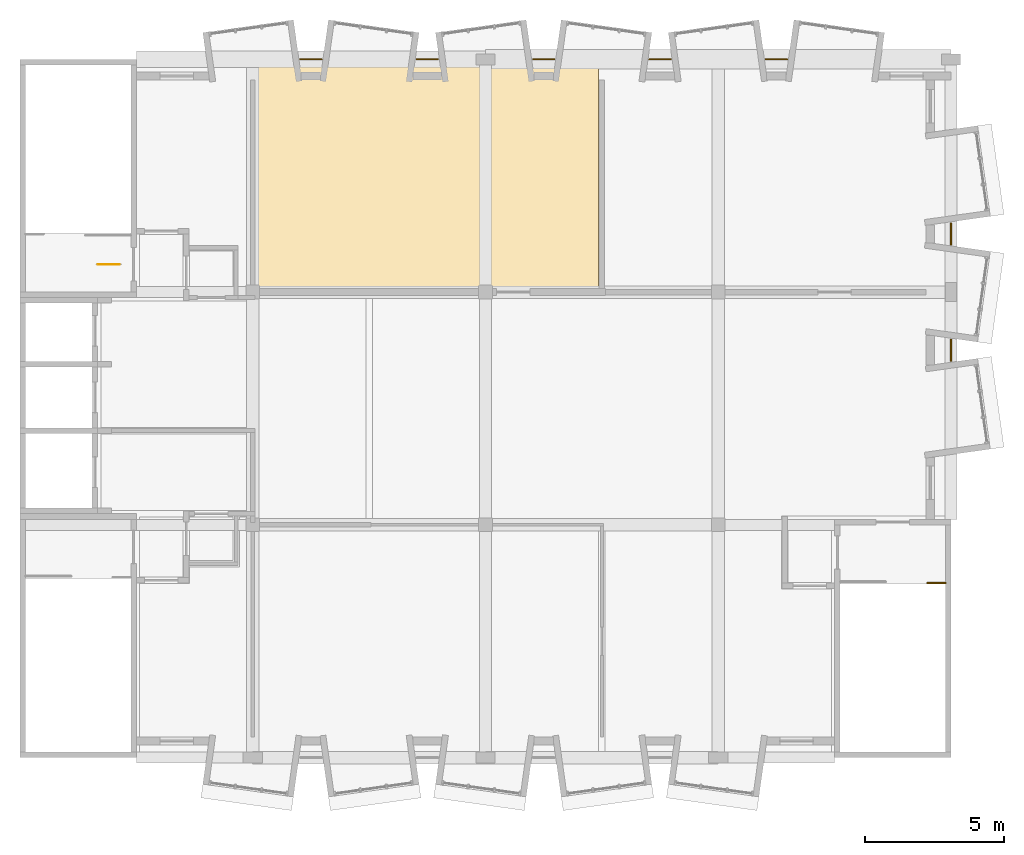
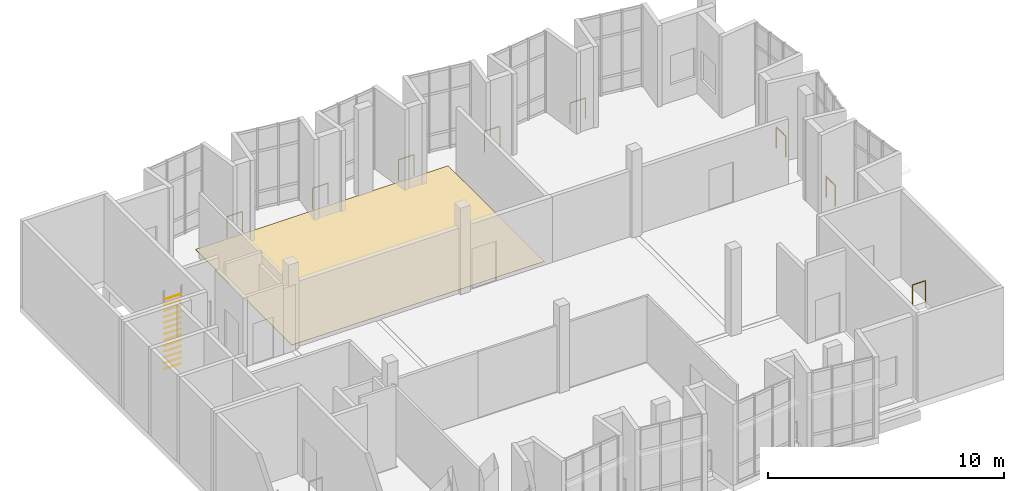
# One storey, part 15 of 15: 21 railings, 1 covering.
"""IFC4 building model written with IfcOpenShell, lengths in metres."""

import ifcopenshell
import ifcopenshell.guid

model = None  # the IFC model being written
_history = None  # IfcOwnerHistory: only IFC2X3 demands one
_inside = {}  # id of a spatial element -> (the spatial element, [elements in it])
_under = {}  # id of a project, library or spatial element -> (it, [spatial elements below it])
_declared = {}  # id of a project -> (the project, [libraries it declares])
_typed = {}  # id of a type object -> (the type object, [elements of that type])
_made_of = {}  # id of a material, layer set ... -> (it, [elements and type objects made of it])


def new_model(schema):
    """Start an empty IFC model of exactly this schema.

    Asked for "IFC4X3", IfcOpenShell would pick the latest addendum, in which some entities
    have other attributes; the version numbers below select the first issue.
    IFC2X3 requires an IfcOwnerHistory on every rooted entity: one is made here for all.
    """
    global model, _history
    if schema == "IFC4X3":
        model = ifcopenshell.file(schema_version=(4, 3, 0, 0))
    else:
        model = ifcopenshell.file(schema=schema)
    _inside.clear()
    _under.clear()
    _declared.clear()
    _typed.clear()
    _made_of.clear()
    _history = None
    if model.schema == "IFC2X3":
        org = make("IfcOrganization", Name="unknown")
        user = make(
            "IfcPersonAndOrganization",
            ThePerson=make("IfcPerson", FamilyName="unknown"),
            TheOrganization=org,
        )
        app = make(
            "IfcApplication",
            ApplicationDeveloper=org,
            Version="unknown",
            ApplicationFullName="unknown",
            ApplicationIdentifier="unknown",
        )
        _history = make(
            "IfcOwnerHistory",
            OwningUser=user,
            OwningApplication=app,
            ChangeAction="ADDED",
            CreationDate=0,
        )
    return model


def make(cls, **values):
    """One entity of the class cls with the attributes given. An attribute that is None is left unset."""
    return model.create_entity(
        cls, **{name: value for name, value in values.items() if value is not None}
    )


def rooted(cls, **values):
    """An entity with a GlobalId (a new one), such as an element, a storey or a relation."""
    return make(cls, GlobalId=ifcopenshell.guid.new(), OwnerHistory=_history, **values)


def si_unit(unit_type, name, prefix=None):
    """IfcSIUnit, for example si_unit("LENGTHUNIT", "METRE", prefix="MILLI")."""
    return make("IfcSIUnit", UnitType=unit_type, Prefix=prefix, Name=name)


def assignment(units):
    """IfcUnitAssignment: the units of a project."""
    return None if units is None else make("IfcUnitAssignment", Units=units)


def point(xyz):
    """IfcCartesianPoint."""
    return None if xyz is None else make("IfcCartesianPoint", Coordinates=xyz)


def direction(xyz):
    """IfcDirection."""
    return None if xyz is None else make("IfcDirection", DirectionRatios=xyz)


def frame(location, z_axis=None, x_axis=None):
    """IfcAxis2Placement3D, a coordinate frame: its origin and axes. An axis left out is left unset."""
    return make(
        "IfcAxis2Placement3D",
        Location=point(location),
        Axis=direction(z_axis),
        RefDirection=direction(x_axis),
    )


def frame_2d(location, x_axis=None):
    """IfcAxis2Placement2D, a coordinate frame in the plane: its origin and x axis."""
    return make(
        "IfcAxis2Placement2D", Location=point(location), RefDirection=direction(x_axis)
    )


def origin():
    """The frame at (0, 0, 0) with its axes left unset."""
    return frame((0.0, 0.0, 0.0))


def origin_2d():
    """The frame at (0, 0) in the plane with its x axis left unset."""
    return frame_2d((0.0, 0.0))


def place(relative_to, where):
    """IfcLocalPlacement: puts the frame where relative to a parent placement (None: the world)."""
    return make(
        "IfcLocalPlacement", PlacementRelTo=relative_to, RelativePlacement=where
    )


def context(
    kind, dimensions, precision=None, world=None, true_north=None, identifier=None
):
    """IfcGeometricRepresentationContext, for example the 3D "Model" context."""
    return make(
        "IfcGeometricRepresentationContext",
        ContextIdentifier=identifier,
        ContextType=kind,
        CoordinateSpaceDimension=dimensions,
        Precision=precision,
        WorldCoordinateSystem=world,
        TrueNorth=true_north,
    )


def subcontext(parent, identifier, kind, view, scale=None):
    """IfcGeometricRepresentationSubContext, for example "Body" below "Model"."""
    return make(
        "IfcGeometricRepresentationSubContext",
        ContextIdentifier=identifier,
        ContextType=kind,
        ParentContext=parent,
        TargetScale=scale,
        TargetView=view,
    )


def project(units=None, contexts=None):
    """IfcProject with its units and contexts."""
    return rooted(
        "IfcProject",
        Name="project",
        RepresentationContexts=contexts,
        UnitsInContext=assignment(units),
    )


def spatial(cls, under=None, at=None, **own):
    """A site, building, storey or space (cls), placed at a placement, below another one or the project."""
    s = rooted(cls, ObjectPlacement=at, **own)
    if under is not None:
        _under.setdefault(under.id(), (under, []))[1].append(s)
    return s


def polyline(points):
    """IfcPolyline through the points."""
    return make("IfcPolyline", Points=[point(p) for p in points])


def profile(cls, at=None, kind="AREA", **sizes):
    """A parametric profile (cls). Its sizes go by their IFC names, for example OverallWidth=200.0."""
    return make(cls, ProfileType=kind, Position=at, **sizes)


def circle(**sizes):
    """IfcCircleProfileDef."""
    return profile("IfcCircleProfileDef", **sizes)


def outline(outer, holes=None, kind="AREA"):
    """IfcArbitraryClosedProfileDef: a profile drawn as a closed curve; with holes, ...WithVoids."""
    if holes is None:
        return make("IfcArbitraryClosedProfileDef", ProfileType=kind, OuterCurve=outer)
    return make(
        "IfcArbitraryProfileDefWithVoids",
        ProfileType=kind,
        OuterCurve=outer,
        InnerCurves=holes,
    )


def extrude(swept, where, along, depth):
    """IfcExtrudedAreaSolid: the profile swept, set in the frame where, extruded along a direction by depth."""
    return make(
        "IfcExtrudedAreaSolid",
        SweptArea=swept,
        Position=where,
        ExtrudedDirection=direction(along),
        Depth=depth,
    )


def shape(context_of_items, identifier, shape_type, items):
    """IfcShapeRepresentation: the items that make up one representation, for example the "Body"."""
    return make(
        "IfcShapeRepresentation",
        ContextOfItems=context_of_items,
        RepresentationIdentifier=identifier,
        RepresentationType=shape_type,
        Items=items,
    )


def material(Name=None, Category=None):
    """IfcMaterial."""
    return make("IfcMaterial", Name=Name, Category=Category)


def layer(
    of_material, thickness, ventilated=None, Name=None, Category=None, Priority=None
):
    """IfcMaterialLayer: one layer of a wall or slab, of a material (None: an air gap)."""
    return make(
        "IfcMaterialLayer",
        Material=of_material,
        LayerThickness=thickness,
        IsVentilated=ventilated,
        Name=Name,
        Category=Category,
        Priority=Priority,
    )


def layer_set(layers, Name=None):
    """IfcMaterialLayerSet."""
    return make("IfcMaterialLayerSet", MaterialLayers=layers, LayerSetName=Name)


def material_profile(
    of_material, cross_section, Name=None, Category=None, Priority=None
):
    """IfcMaterialProfile: a cross section and its material."""
    return make(
        "IfcMaterialProfile",
        Name=Name,
        Material=of_material,
        Profile=cross_section,
        Priority=Priority,
        Category=Category,
    )


def profile_set(profiles, Name=None, composite=None):
    """IfcMaterialProfileSet."""
    return make(
        "IfcMaterialProfileSet",
        Name=Name,
        MaterialProfiles=profiles,
        CompositeProfile=composite,
    )


def made_of(thing, what):
    """Note that an element or type object is made of a material, layer set ...; save() writes the relation."""
    if what is not None:
        _made_of.setdefault(what.id(), (what, []))[1].append(thing)
    return thing


def type_object(cls, material=None, **own):
    """A type object (cls), such as IfcWallType, which elements share."""
    return made_of(rooted(cls, **own), material)


def element(
    cls,
    number,
    at=None,
    inside=None,
    cuts=None,
    type_object=None,
    material=None,
    context=None,
    identifier="Body",
    shape_type=None,
    held_by="IfcProductDefinitionShape",
    body=None,
    shapes=None,
    **own,
):
    """One element of the class cls, such as IfcWall. Its Tag is "e" and its number.

    at: its placement. inside: the storey or other place that contains it. cuts: it is an
    opening in that element (IfcRelVoidsElement). A single representation is given by context,
    identifier, shape_type and body (its items); several are given by shapes. held_by: the class
    of the entity that holds the representations. save() writes the other relations.
    """
    e = rooted(cls, Tag="e%d" % number, ObjectPlacement=at, **own)
    if body is not None:
        shapes = [shape(context, identifier, shape_type, body)]
    if shapes is not None:
        e.Representation = make(held_by, Representations=shapes)
    if inside is not None:
        _inside.setdefault(inside.id(), (inside, []))[1].append(e)
    if cuts is not None:
        rooted(
            "IfcRelVoidsElement", RelatingBuildingElement=cuts, RelatedOpeningElement=e
        )
    if type_object is not None:
        _typed.setdefault(type_object.id(), (type_object, []))[1].append(e)
    return made_of(e, material)


def aggregate(whole, parts):
    """IfcRelAggregates: a whole, such as a stair, and the parts it consists of."""
    return rooted("IfcRelAggregates", RelatingObject=whole, RelatedObjects=parts)


def save(model, path):
    """Write the relations noted so far, then the file.

    IfcRelAggregates (storeys below a building ...), IfcRelContainedInSpatialStructure (elements
    in a storey), IfcRelDefinesByType, IfcRelAssociatesMaterial and IfcRelDeclares: one each for
    every whole, place, type object, material and project.
    """
    for whole, parts in _under.values():
        aggregate(whole, parts)
    for where, things in _inside.values():
        rooted(
            "IfcRelContainedInSpatialStructure",
            RelatedElements=things,
            RelatingStructure=where,
        )
    for kind, things in _typed.values():
        rooted("IfcRelDefinesByType", RelatedObjects=things, RelatingType=kind)
    for what, things in _made_of.values():
        rooted("IfcRelAssociatesMaterial", RelatedObjects=things, RelatingMaterial=what)
    for by, libraries in _declared.values():
        rooted("IfcRelDeclares", RelatingContext=by, RelatedDefinitions=libraries)
    model.write(path)


model = new_model("IFC4")

# Units and contexts
model_context = context("Model", 3, precision=1e-05, world=origin(), true_north=direction((0.0, 1.0)))
body_context = subcontext(model_context, "Body", "Model", "MODEL_VIEW")
ifc_project = project(units=[si_unit("LENGTHUNIT", "METRE"), si_unit("AREAUNIT", "SQUARE_METRE"), si_unit("VOLUMEUNIT", "CUBIC_METRE"), si_unit("PLANEANGLEUNIT", "RADIAN"), si_unit("MASSUNIT", "GRAM", prefix="KILO")], contexts=[model_context])

# Site, building, storey
site_placement = place(None, origin())
site = spatial("IfcSite", under=ifc_project, at=site_placement, CompositionType="ELEMENT")
building_placement = place(site_placement, origin())
building = spatial("IfcBuilding", under=site, at=building_placement, Name="Kiln Court Media Centre", CompositionType="ELEMENT")
storey_placement = place(building_placement, frame((0.0, 0.0, 38.10009765625)))
storey = spatial("IfcBuildingStorey", under=building, at=storey_placement, Name="L08", CompositionType="ELEMENT", Elevation=38.10009765625)

# Covering
ifc_material_1 = material(Name="Engineered timber", Category="wood")
ifc_layer = layer(ifc_material_1, 0.02001953125)
ifc_layer_set = layer_set([ifc_layer], Name="Engineered timber floor finish 20")
covering_type = type_object("IfcCoveringType", Name="Engineered timber floor finish 20", PredefinedType="FLOORING", material=ifc_layer_set)
covering_placement = place(storey_placement, origin())
element("IfcCovering", 1, at=covering_placement, inside=storey, type_object=covering_type, Name="Preview Theatre floor finish", PredefinedType="FLOORING", context=body_context, shape_type="SweptSolid", body=[
    extrude(outline(polyline([(8.52001953125, 16.919921875), (20.8798828125, 16.919921875), (20.8798828125, 25.080078125), (8.52001953125, 25.080078125), (8.52001953125, 16.919921875)])), origin(), (0.0, 0.0, 1.0), 0.02001953125),
])

# Railings
ifc_material_2 = material(Name="Steel ASTM A572 Gr 50", Category="steel")
ifc_material_profile = material_profile(ifc_material_2, circle(Radius=0.010009765625, at=origin_2d()), Name="Steel ASTM A572 Gr 50 ladder rung 20")
ifc_profile_set = profile_set([ifc_material_profile], Name="Steel ASTM A572 Gr 50")
railing_type_1 = type_object("IfcRailingType", Name="Steel ASTM A572 Gr 50 ladder rung 20", PredefinedType="USERDEFINED", material=ifc_profile_set)
for number, where, z_axis, x_axis, name in (
    (2, (2.800048828125, 17.800048828125, 0.25), (1.0, 0.0, 0.0), (0.0, 1.0, 0.0), "roof access ladder rung"),
    (3, (2.800048828125, 17.800048828125, 0.5498046875), (1.0, 0.0, 0.0), (0.0, 1.0, 0.0), "roof access ladder rung"),
    (4, (2.800048828125, 17.800048828125, 0.849853515625), (1.0, 0.0, 0.0), (0.0, 1.0, 0.0), "roof access ladder rung"),
    (5, (2.800048828125, 17.800048828125, 1.14990234375), (1.0, 0.0, 0.0), (0.0, 1.0, 0.0), "roof access ladder rung"),
    (6, (2.800048828125, 17.800048828125, 1.449951171875), (1.0, 0.0, 0.0), (0.0, 1.0, 0.0), "roof access ladder rung"),
    (7, (2.800048828125, 17.800048828125, 1.75), (1.0, 0.0, 0.0), (0.0, 1.0, 0.0), "roof access ladder rung"),
    (8, (2.800048828125, 17.800048828125, 2.0498046875), (1.0, 0.0, 0.0), (0.0, 1.0, 0.0), "roof access ladder rung"),
    (9, (2.800048828125, 17.800048828125, 2.349853515625), (1.0, 0.0, 0.0), (0.0, 1.0, 0.0), "roof access ladder rung"),
    (10, (2.800048828125, 17.800048828125, 2.64990234375), (1.0, 0.0, 0.0), (0.0, 1.0, 0.0), "roof access ladder rung"),
    (11, (2.800048828125, 17.800048828125, 2.949951171875), (1.0, 0.0, 0.0), (0.0, 1.0, 0.0), "roof access ladder rung"),
    (12, (2.800048828125, 17.800048828125, 3.25), (1.0, 0.0, 0.0), (0.0, 1.0, 0.0), "roof access ladder rung"),
    (13, (2.800048828125, 17.800048828125, 3.5498046875), (1.0, 0.0, 0.0), (0.0, 1.0, 0.0), "roof access ladder rung"),
    (14, (2.800048828125, 17.800048828125, 3.849853515625), (1.0, 0.0, 0.0), (0.0, 1.0, 0.0), "roof access ladder rung"),
):
    element("IfcRailing", number, at=place(storey_placement, frame(where, z_axis=z_axis, x_axis=x_axis)), inside=storey, type_object=railing_type_1, Name=name, ObjectType="FIXED LADDER", PredefinedType="USERDEFINED", context=body_context, shape_type="SweptSolid", body=[
        extrude(circle(Radius=0.010009765625, at=origin_2d()), origin(), (0.0, 0.0, 1.0), 0.800048828125),
    ])
ifc_material_3 = material(Name="Steel S275", Category="steel")
railing_type_2 = type_object("IfcRailingType", Name="Steel S275 balustrade guard 1100", PredefinedType="GUARDRAIL", material=ifc_material_3)
for number, where, name in (
    (15, (10.11767578125, 25.199951171875, 0.0), "L08 slab notch guard"),
    (16, (14.317626953125, 25.199951171875, 0.0), "L08 slab notch guard"),
    (17, (18.517578125, 25.199951171875, 0.0), "L08 slab notch guard"),
    (18, (22.7177734375, 25.199951171875, 0.0), "L08 slab notch guard"),
    (19, (26.917724609375, 25.199951171875, 0.0), "L08 slab notch guard"),
):
    element("IfcRailing", number, at=place(storey_placement, frame(where)), inside=storey, type_object=railing_type_2, Name=name, PredefinedType="GUARDRAIL", context=body_context, shape_type="SweptSolid", body=[
        extrude(circle(Radius=0.02392578125, at=origin_2d()), frame((0.0, 0.0, 1.076171875), z_axis=(1.0, 0.0, 0.0), x_axis=(0.0, 1.0, 0.0)), (0.0, 0.0, 1.0), 0.7646484375),
        extrude(circle(Radius=0.02099609375, at=origin_2d()), origin(), (0.0, 0.0, 1.0), 1.052001953125),
        extrude(circle(Radius=0.02099609375, at=origin_2d()), frame((0.7646484375, 0.0, 0.0)), (0.0, 0.0, 1.0), 1.052001953125),
    ])
for number, where, name in (
    (20, (33.60009765625, 19.2822265625, 0.0), "L08 slab notch guard"),
    (21, (33.60009765625, 15.082275390625, 0.0), "L08 slab notch guard"),
):
    element("IfcRailing", number, at=place(storey_placement, frame(where)), inside=storey, type_object=railing_type_2, Name=name, PredefinedType="GUARDRAIL", context=body_context, shape_type="SweptSolid", body=[
        extrude(circle(Radius=0.02392578125, at=origin_2d()), frame((0.0, 0.0, 1.076171875), z_axis=(0.0, -1.0, 0.0), x_axis=(1.0, 0.0, 0.0)), (0.0, 0.0, 1.0), 0.7646484375),
        extrude(circle(Radius=0.02099609375, at=origin_2d()), origin(), (0.0, 0.0, 1.0), 1.052001953125),
        extrude(circle(Radius=0.02099609375, at=origin_2d()), frame((0.0, -0.7646484375, 0.0)), (0.0, 0.0, 1.0), 1.052001953125),
    ])
ifc_material_4 = material(Name="Steel S275", Category="steel")
railing_type_3 = type_object("IfcRailingType", Name="Steel S275 stair guard 1100", PredefinedType="GUARDRAIL", material=ifc_material_4)
railing_placement = place(storey_placement, frame((32.75, 6.300048828125, 0.0)))
element("IfcRailing", 22, at=railing_placement, inside=storey, type_object=railing_type_3, Name="ST-03 landing edge guard", PredefinedType="GUARDRAIL", context=body_context, shape_type="SweptSolid", body=[
    extrude(circle(Radius=0.02392578125, at=origin_2d()), frame((0.0, 0.0, 1.076171875), z_axis=(1.0, 0.0, 0.0), x_axis=(0.0, 1.0, 0.0)), (0.0, 0.0, 1.0), 0.64990234375),
    extrude(circle(Radius=0.02099609375, at=origin_2d()), origin(), (0.0, 0.0, 1.0), 1.052001953125),
    extrude(circle(Radius=0.02099609375, at=origin_2d()), frame((0.64990234375, 0.0, 0.0)), (0.0, 0.0, 1.0), 1.052001953125),
])

save(model, "model.ifc")
